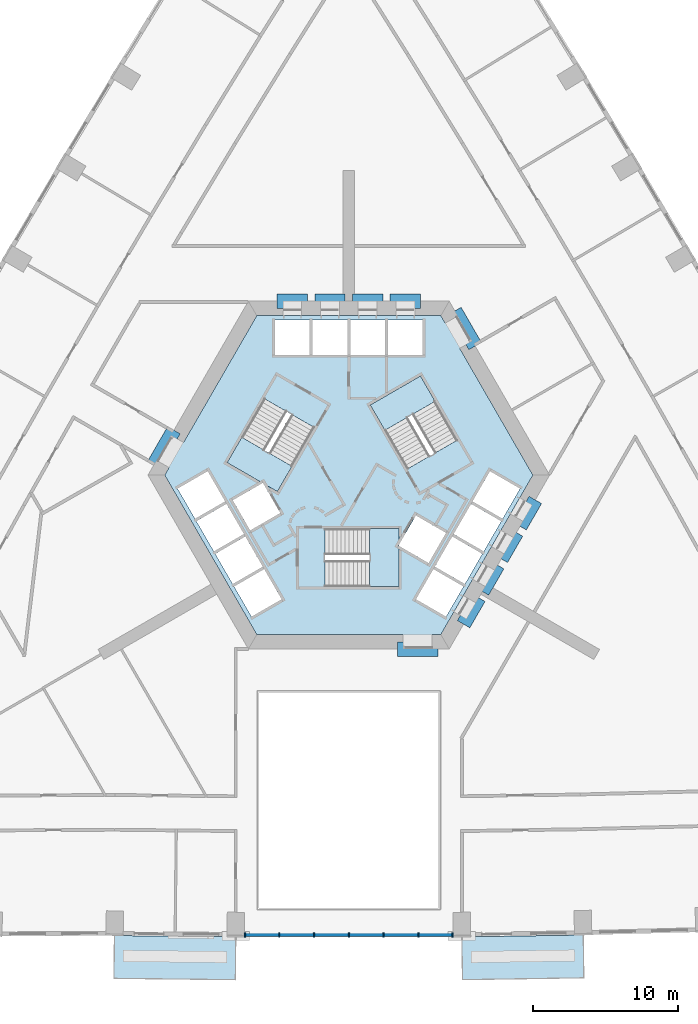
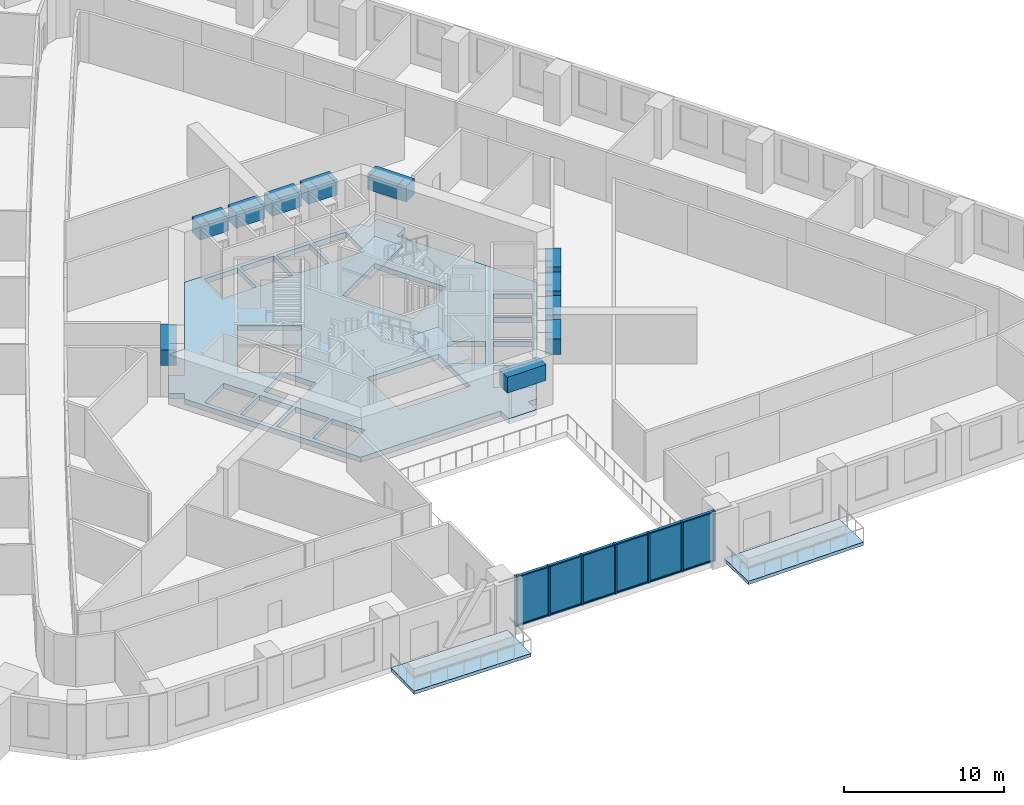
# One storey, part 2 of 14: 19 members, 11 beams, 6 plates, 6 slabs, 4 elements without a shape of their own.
"""IFC4 building model written with IfcOpenShell, lengths in metres."""

from ifc_helpers import new_model, si_unit, direction, frame, origin, origin_2d, place, context, subcontext, project, spatial, polyline, rectangle, outline, extrude, material, layer, layer_set, material_profile, profile_set, type_object, element, aggregate, save


model = new_model("IFC4")

# Units and contexts
model_context = context("Model", 3, precision=1e-05, world=origin(), true_north=direction((0.0, 1.0)))
body_context = subcontext(model_context, "Body", "Model", "MODEL_VIEW")
ifc_project = project(units=[si_unit("LENGTHUNIT", "METRE"), si_unit("AREAUNIT", "SQUARE_METRE"), si_unit("VOLUMEUNIT", "CUBIC_METRE"), si_unit("PLANEANGLEUNIT", "RADIAN"), si_unit("MASSUNIT", "GRAM", prefix="KILO")], contexts=[model_context])

# Site, building, storey
site_placement = place(None, origin())
site = spatial("IfcSite", under=ifc_project, at=site_placement, CompositionType="ELEMENT")
building_placement = place(site_placement, origin())
building = spatial("IfcBuilding", under=site, at=building_placement, Name="Entoto Arch Interchange Tower", CompositionType="ELEMENT")
storey_placement = place(building_placement, frame((0.0, 0.0, 64.39990234375)))
storey = spatial("IfcBuildingStorey", under=building, at=storey_placement, Name="L13", CompositionType="ELEMENT", Elevation=64.39990234375)

# Beams
ifc_material_1 = material(Name="Concrete C60/75", Category="concrete")
ifc_material_profile_1 = material_profile(ifc_material_1, rectangle(XDim=1.0, YDim=1.199951171875, at=origin_2d()))
ifc_profile_set_1 = profile_set([ifc_material_profile_1], Name="Concrete C60/75")
beam_type = type_object("IfcBeamType", Name="Coupling beam RC 1000x1200 C60/75", PredefinedType="BEAM", material=ifc_profile_set_1)
beam_1_placement = place(storey_placement, frame((8.717041015625, 11.402099609375, 3.0), z_axis=(-0.500200581029, 0.865909567298, 0.0), x_axis=(-0.865909567298, -0.500200581029, 0.0)))
element("IfcBeam", 1, at=beam_1_placement, inside=storey, type_object=beam_type, Name="Coupling beam NE L13", PredefinedType="BEAM", context=body_context, shape_type="SweptSolid", body=[
    extrude(rectangle(XDim=1.0, YDim=1.199951171875, at=origin_2d()), origin(), (0.0, 0.0, 1.0), 2.799072265625),
])
beam_2_placement = place(storey_placement, frame((4.949951171875, 14.5, 3.0), z_axis=(-1.0, 0.0, 0.0), x_axis=(0.0, -1.0, 0.0)))
element("IfcBeam", 2, at=beam_2_placement, inside=storey, type_object=beam_type, Name="Coupling beam N L13", PredefinedType="BEAM", context=body_context, shape_type="SweptSolid", body=[
    extrude(rectangle(XDim=1.0, YDim=1.199951171875, at=origin_2d()), origin(), (0.0, 0.0, 1.0), 2.099853515625),
])
for number, where, z_axis, x_axis, name in (
    (3, (2.35009765625, 14.5, 3.0), (-1.0, 0.0, 0.0), (0.0, -1.0, 0.0), "Coupling beam N L13"),
    (4, (-0.25, 14.5, 3.0), (-1.0, 0.0, 0.0), (0.0, -1.0, 0.0), "Coupling beam N L13"),
):
    element("IfcBeam", number, at=place(storey_placement, frame(where, z_axis=z_axis, x_axis=x_axis)), inside=storey, type_object=beam_type, Name=name, PredefinedType="BEAM", context=body_context, shape_type="SweptSolid", body=[
        extrude(rectangle(XDim=1.0, YDim=1.199951171875, at=origin_2d()), origin(), (0.0, 0.0, 1.0), 2.10009765625),
    ])
beam_3_placement = place(storey_placement, frame((-2.85009765625, 14.5, 3.0), z_axis=(-1.0, 0.0, 0.0), x_axis=(0.0, -1.0, 0.0)))
element("IfcBeam", 5, at=beam_3_placement, inside=storey, type_object=beam_type, Name="Coupling beam N L13", PredefinedType="BEAM", context=body_context, shape_type="SweptSolid", body=[
    extrude(rectangle(XDim=1.0, YDim=1.199951171875, at=origin_2d()), origin(), (0.0, 0.0, 1.0), 2.099853515625),
])
beam_4_placement = place(storey_placement, frame((-12.06689453125, 5.597900390625, 3.0), z_axis=(-0.500200581029, -0.865909567298, 0.0), x_axis=(0.865909567298, -0.500200581029, 0.0)))
element("IfcBeam", 6, at=beam_4_placement, inside=storey, type_object=beam_type, Name="Coupling beam NW L13", PredefinedType="BEAM", context=body_context, shape_type="SweptSolid", body=[
    extrude(rectangle(XDim=1.0, YDim=1.199951171875, at=origin_2d()), origin(), (0.0, 0.0, 1.0), 2.799072265625),
])
beam_5_placement = place(storey_placement, frame((3.35009765625, -9.5, 3.0), z_axis=(1.0, 0.0, 0.0), x_axis=(0.0, 1.0, 0.0)))
element("IfcBeam", 7, at=beam_5_placement, inside=storey, type_object=beam_type, Name="Coupling beam S L13", PredefinedType="BEAM", context=body_context, shape_type="SweptSolid", body=[
    extrude(rectangle(XDim=1.0, YDim=1.199951171875, at=origin_2d()), origin(), (0.0, 0.0, 1.0), 2.7998046875),
])
for number, where, z_axis, x_axis, name in (
    (8, (7.9169921875, -7.785888671875, 3.0), (0.500178781653, 0.865922159541, 0.0), (-0.865922159541, 0.500178781653, 0.0), "Coupling beam SE L13"),
    (9, (9.217041015625, -5.534912109375, 3.0), (0.500178781653, 0.865922159541, 0.0), (-0.865922159541, 0.500178781653, 0.0), "Coupling beam SE L13"),
):
    element("IfcBeam", number, at=place(storey_placement, frame(where, z_axis=z_axis, x_axis=x_axis)), inside=storey, type_object=beam_type, Name=name, PredefinedType="BEAM", context=body_context, shape_type="SweptSolid", body=[
        extrude(rectangle(XDim=1.0, YDim=1.199951171875, at=origin_2d()), origin(), (0.0, 0.0, 1.0), 2.099365234375),
    ])
beam_6_placement = place(storey_placement, frame((10.51708984375, -3.282958984375, 3.0), z_axis=(0.500091574638, 0.865972526687, 0.0), x_axis=(-0.865972526687, 0.500091574638, 0.0)))
element("IfcBeam", 10, at=beam_6_placement, inside=storey, type_object=beam_type, Name="Coupling beam SE L13", PredefinedType="BEAM", context=body_context, shape_type="SweptSolid", body=[
    extrude(rectangle(XDim=1.0, YDim=1.199951171875, at=origin_2d()), origin(), (0.0, 0.0, 1.0), 2.09912109375),
])
beam_7_placement = place(storey_placement, frame((11.81689453125, -1.031982421875, 3.0), z_axis=(0.500178781653, 0.865922159541, 0.0), x_axis=(-0.865922159541, 0.500178781653, 0.0)))
element("IfcBeam", 11, at=beam_7_placement, inside=storey, type_object=beam_type, Name="Coupling beam SE L13", PredefinedType="BEAM", context=body_context, shape_type="SweptSolid", body=[
    extrude(rectangle(XDim=1.0, YDim=1.199951171875, at=origin_2d()), origin(), (0.0, 0.0, 1.0), 2.099365234375),
])

# Curtain wall, members
ifc_material_2 = material(Name="Aluminium, anodised", Category="aluminium")
curtain_wall_type = type_object("IfcCurtainWallType", Name="CURTAIN WALL ATRIUM", PredefinedType="NOTDEFINED", material=ifc_material_2)
curtain_wall_placement = place(storey_placement, origin())
curtain_wall = element("IfcCurtainWall", 12, at=curtain_wall_placement, inside=storey, type_object=curtain_wall_type, Name="Atrium glazing S-04 L13", PredefinedType="NOTDEFINED")
ifc_material_profile_2 = material_profile(ifc_material_2, rectangle(XDim=0.300048828125, YDim=0.10009765625, at=origin_2d()))
ifc_profile_set_2 = profile_set([ifc_material_profile_2], Name="Aluminium, anodised")
member_type_1 = type_object("IfcMemberType", Name="MULLION ATRIUM 100x300", PredefinedType="MULLION", material=ifc_profile_set_2)
member_1_placement = place(storey_placement, frame((-7.14794921875, -29.236083984375, 0.0), z_axis=(0.0, 0.0, 1.0), x_axis=(0.0, 1.0, 0.0)))
member_1 = element("IfcMember", 13, at=member_1_placement, type_object=member_type_1, Name="CWA mullion 1", PredefinedType="MULLION", context=body_context, shape_type="SweptSolid", body=[
    extrude(rectangle(XDim=0.300048828125, YDim=0.10009765625, at=origin_2d()), origin(), (0.0, 0.0, 1.0), 3.800048828125),
])
member_2_placement = place(storey_placement, frame((-4.798583984375, -29.236083984375, 0.0), z_axis=(0.0, 0.0, 1.0), x_axis=(0.0, 1.0, 0.0)))
member_2 = element("IfcMember", 14, at=member_2_placement, type_object=member_type_1, Name="CWA mullion 2", PredefinedType="MULLION", context=body_context, shape_type="SweptSolid", body=[
    extrude(rectangle(XDim=0.300048828125, YDim=0.10009765625, at=origin_2d()), origin(), (0.0, 0.0, 1.0), 3.800048828125),
])
member_3_placement = place(storey_placement, frame((-2.3994140625, -29.236083984375, 0.0), z_axis=(0.0, 0.0, 1.0), x_axis=(0.0, 1.0, 0.0)))
member_3 = element("IfcMember", 15, at=member_3_placement, type_object=member_type_1, Name="CWA mullion 3", PredefinedType="MULLION", context=body_context, shape_type="SweptSolid", body=[
    extrude(rectangle(XDim=0.300048828125, YDim=0.10009765625, at=origin_2d()), origin(), (0.0, 0.0, 1.0), 3.800048828125),
])
member_4_placement = place(storey_placement, frame((0.0, -29.236083984375, 0.0), z_axis=(0.0, 0.0, 1.0), x_axis=(0.0, 1.0, 0.0)))
member_4 = element("IfcMember", 16, at=member_4_placement, type_object=member_type_1, Name="CWA mullion 4", PredefinedType="MULLION", context=body_context, shape_type="SweptSolid", body=[
    extrude(rectangle(XDim=0.300048828125, YDim=0.10009765625, at=origin_2d()), origin(), (0.0, 0.0, 1.0), 3.800048828125),
])
member_5_placement = place(storey_placement, frame((2.3994140625, -29.236083984375, 0.0), z_axis=(0.0, 0.0, 1.0), x_axis=(0.0, 1.0, 0.0)))
member_5 = element("IfcMember", 17, at=member_5_placement, type_object=member_type_1, Name="CWA mullion 5", PredefinedType="MULLION", context=body_context, shape_type="SweptSolid", body=[
    extrude(rectangle(XDim=0.300048828125, YDim=0.10009765625, at=origin_2d()), origin(), (0.0, 0.0, 1.0), 3.800048828125),
])
member_6_placement = place(storey_placement, frame((4.798583984375, -29.236083984375, 0.0), z_axis=(0.0, 0.0, 1.0), x_axis=(0.0, 1.0, 0.0)))
member_6 = element("IfcMember", 18, at=member_6_placement, type_object=member_type_1, Name="CWA mullion 6", PredefinedType="MULLION", context=body_context, shape_type="SweptSolid", body=[
    extrude(rectangle(XDim=0.300048828125, YDim=0.10009765625, at=origin_2d()), origin(), (0.0, 0.0, 1.0), 3.800048828125),
])
member_7_placement = place(storey_placement, frame((7.14794921875, -29.236083984375, 0.0), z_axis=(0.0, 0.0, 1.0), x_axis=(0.0, 1.0, 0.0)))
member_7 = element("IfcMember", 19, at=member_7_placement, type_object=member_type_1, Name="CWA mullion 7", PredefinedType="MULLION", context=body_context, shape_type="SweptSolid", body=[
    extrude(rectangle(XDim=0.300048828125, YDim=0.10009765625, at=origin_2d()), origin(), (0.0, 0.0, 1.0), 3.800048828125),
])
ifc_material_profile_3 = material_profile(ifc_material_2, rectangle(XDim=0.199951171875, YDim=0.080078125, at=origin_2d()))
ifc_profile_set_3 = profile_set([ifc_material_profile_3], Name="Aluminium, anodised")
member_type_2 = type_object("IfcMemberType", Name="TRANSOM ATRIUM 80x200", PredefinedType="USERDEFINED", material=ifc_profile_set_3)
member_8_placement = place(storey_placement, frame((-7.097900390625, -29.236083984375, 0.0400390625), z_axis=(1.0, 0.0, 0.0), x_axis=(0.0, 1.0, 0.0)))
member_8 = element("IfcMember", 20, at=member_8_placement, type_object=member_type_2, Name="CWA transom 1.1", ObjectType="TRANSOM", PredefinedType="USERDEFINED", context=body_context, shape_type="SweptSolid", body=[
    extrude(rectangle(XDim=0.199951171875, YDim=0.080078125, at=origin_2d()), origin(), (0.0, 0.0, 1.0), 2.249267578125),
])
member_9_placement = place(storey_placement, frame((-7.097900390625, -29.236083984375, 3.760009765625), z_axis=(1.0, 0.0, 0.0), x_axis=(0.0, 1.0, 0.0)))
member_9 = element("IfcMember", 21, at=member_9_placement, type_object=member_type_2, Name="CWA transom 1.2", ObjectType="TRANSOM", PredefinedType="USERDEFINED", context=body_context, shape_type="SweptSolid", body=[
    extrude(rectangle(XDim=0.199951171875, YDim=0.080078125, at=origin_2d()), origin(), (0.0, 0.0, 1.0), 2.249267578125),
])
member_10_placement = place(storey_placement, frame((-4.748779296875, -29.236083984375, 0.0400390625), z_axis=(1.0, 0.0, 0.0), x_axis=(0.0, 1.0, 0.0)))
member_10 = element("IfcMember", 22, at=member_10_placement, type_object=member_type_2, Name="CWA transom 2.1", ObjectType="TRANSOM", PredefinedType="USERDEFINED", context=body_context, shape_type="SweptSolid", body=[
    extrude(rectangle(XDim=0.199951171875, YDim=0.080078125, at=origin_2d()), origin(), (0.0, 0.0, 1.0), 2.299560546875),
])
member_11_placement = place(storey_placement, frame((-4.748779296875, -29.236083984375, 3.760009765625), z_axis=(1.0, 0.0, 0.0), x_axis=(0.0, 1.0, 0.0)))
member_11 = element("IfcMember", 23, at=member_11_placement, type_object=member_type_2, Name="CWA transom 2.2", ObjectType="TRANSOM", PredefinedType="USERDEFINED", context=body_context, shape_type="SweptSolid", body=[
    extrude(rectangle(XDim=0.199951171875, YDim=0.080078125, at=origin_2d()), origin(), (0.0, 0.0, 1.0), 2.299560546875),
])
member_12_placement = place(storey_placement, frame((-2.349365234375, -29.236083984375, 0.0400390625), z_axis=(1.0, 0.0, 0.0), x_axis=(0.0, 1.0, 0.0)))
member_12 = element("IfcMember", 24, at=member_12_placement, type_object=member_type_2, Name="CWA transom 3.1", ObjectType="TRANSOM", PredefinedType="USERDEFINED", context=body_context, shape_type="SweptSolid", body=[
    extrude(rectangle(XDim=0.199951171875, YDim=0.080078125, at=origin_2d()), origin(), (0.0, 0.0, 1.0), 2.29931640625),
])
member_13_placement = place(storey_placement, frame((-2.349365234375, -29.236083984375, 3.760009765625), z_axis=(1.0, 0.0, 0.0), x_axis=(0.0, 1.0, 0.0)))
member_13 = element("IfcMember", 25, at=member_13_placement, type_object=member_type_2, Name="CWA transom 3.2", ObjectType="TRANSOM", PredefinedType="USERDEFINED", context=body_context, shape_type="SweptSolid", body=[
    extrude(rectangle(XDim=0.199951171875, YDim=0.080078125, at=origin_2d()), origin(), (0.0, 0.0, 1.0), 2.29931640625),
])
member_14_placement = place(storey_placement, frame((0.050048828125, -29.236083984375, 0.0400390625), z_axis=(1.0, 0.0, 0.0), x_axis=(0.0, 1.0, 0.0)))
member_14 = element("IfcMember", 26, at=member_14_placement, type_object=member_type_2, Name="CWA transom 4.1", ObjectType="TRANSOM", PredefinedType="USERDEFINED", context=body_context, shape_type="SweptSolid", body=[
    extrude(rectangle(XDim=0.199951171875, YDim=0.080078125, at=origin_2d()), origin(), (0.0, 0.0, 1.0), 2.29931640625),
])
member_15_placement = place(storey_placement, frame((0.050048828125, -29.236083984375, 3.760009765625), z_axis=(1.0, 0.0, 0.0), x_axis=(0.0, 1.0, 0.0)))
member_15 = element("IfcMember", 27, at=member_15_placement, type_object=member_type_2, Name="CWA transom 4.2", ObjectType="TRANSOM", PredefinedType="USERDEFINED", context=body_context, shape_type="SweptSolid", body=[
    extrude(rectangle(XDim=0.199951171875, YDim=0.080078125, at=origin_2d()), origin(), (0.0, 0.0, 1.0), 2.29931640625),
])
member_16_placement = place(storey_placement, frame((2.44921875, -29.236083984375, 0.0400390625), z_axis=(1.0, 0.0, 0.0), x_axis=(0.0, 1.0, 0.0)))
member_16 = element("IfcMember", 28, at=member_16_placement, type_object=member_type_2, Name="CWA transom 5.1", ObjectType="TRANSOM", PredefinedType="USERDEFINED", context=body_context, shape_type="SweptSolid", body=[
    extrude(rectangle(XDim=0.199951171875, YDim=0.080078125, at=origin_2d()), origin(), (0.0, 0.0, 1.0), 2.299560546875),
])
member_17_placement = place(storey_placement, frame((2.44921875, -29.236083984375, 3.760009765625), z_axis=(1.0, 0.0, 0.0), x_axis=(0.0, 1.0, 0.0)))
member_17 = element("IfcMember", 29, at=member_17_placement, type_object=member_type_2, Name="CWA transom 5.2", ObjectType="TRANSOM", PredefinedType="USERDEFINED", context=body_context, shape_type="SweptSolid", body=[
    extrude(rectangle(XDim=0.199951171875, YDim=0.080078125, at=origin_2d()), origin(), (0.0, 0.0, 1.0), 2.299560546875),
])
member_18_placement = place(storey_placement, frame((4.8486328125, -29.236083984375, 0.0400390625), z_axis=(1.0, 0.0, 0.0), x_axis=(0.0, 1.0, 0.0)))
member_18 = element("IfcMember", 30, at=member_18_placement, type_object=member_type_2, Name="CWA transom 6.1", ObjectType="TRANSOM", PredefinedType="USERDEFINED", context=body_context, shape_type="SweptSolid", body=[
    extrude(rectangle(XDim=0.199951171875, YDim=0.080078125, at=origin_2d()), origin(), (0.0, 0.0, 1.0), 2.249267578125),
])
member_19_placement = place(storey_placement, frame((4.8486328125, -29.236083984375, 3.760009765625), z_axis=(1.0, 0.0, 0.0), x_axis=(0.0, 1.0, 0.0)))
member_19 = element("IfcMember", 31, at=member_19_placement, type_object=member_type_2, Name="CWA transom 6.2", ObjectType="TRANSOM", PredefinedType="USERDEFINED", context=body_context, shape_type="SweptSolid", body=[
    extrude(rectangle(XDim=0.199951171875, YDim=0.080078125, at=origin_2d()), origin(), (0.0, 0.0, 1.0), 2.249267578125),
])

# Slabs
ifc_material_3 = material(Name="Board-marked precast concrete C50/60", Category="concrete")
ifc_layer_1 = layer(ifc_material_3, 0.25)
ifc_layer_set_1 = layer_set([ifc_layer_1], Name="Board-marked precast concrete C50/60")
slab_type_1 = type_object("IfcSlabType", Name="BALCONY DECK PRECAST 250", PredefinedType="FLOOR", material=ifc_layer_set_1)
slab_1_placement = place(storey_placement, frame((0.0, 0.0, -0.25)))
element("IfcSlab", 32, at=slab_1_placement, inside=storey, type_object=slab_type_1, Name="Planted balcony S-03 L13", PredefinedType="FLOOR", context=body_context, shape_type="SweptSolid", body=[
    extrude(outline(polyline([(-16.169921875, -29.26806640625), (-7.800048828125, -29.361083984375), (-7.8330078125, -32.31103515625), (-16.202880859375, -32.218017578125), (-16.169921875, -29.26806640625)])), origin(), (0.0, 0.0, 1.0), 0.25),
])
slab_2_placement = place(storey_placement, frame((0.0, 0.0, -0.25)))
element("IfcSlab", 33, at=slab_2_placement, inside=storey, type_object=slab_type_1, Name="Planted balcony S-05 L13", PredefinedType="FLOOR", context=body_context, shape_type="SweptSolid", body=[
    extrude(outline(polyline([(7.800048828125, -29.361083984375), (16.169921875, -29.23193359375), (16.215087890625, -32.181884765625), (7.844970703125, -32.31103515625), (7.800048828125, -29.361083984375)])), origin(), (0.0, 0.0, 1.0), 0.25),
])
ifc_material_4 = material(Name="Concrete C40/50", Category="concrete")
ifc_layer_2 = layer(ifc_material_4, 0.39990234375)
ifc_layer_set_2 = layer_set([ifc_layer_2], Name="Concrete C40/50")
slab_type_2 = type_object("IfcSlabType", Name="Core floor slab 400 C40/50", PredefinedType="FLOOR", material=ifc_layer_set_2)
slab_3_placement = place(storey_placement, frame((0.0, 0.0, -0.39990234375)))
element("IfcSlab", 34, at=slab_3_placement, inside=storey, type_object=slab_type_2, Name="Core floor slab L13", PredefinedType="FLOOR", context=body_context, shape_type="SweptSolid", body=[
    extrude(outline(polyline([(5.75, -9.5), (3.75, -9.5), (3.75, -8.5), (-6.35107421875, -8.5), (-12.701904296875, 2.5), (-12.402099609375, 3.02001953125), (-13.26708984375, 3.52001953125), (-12.26708984375, 5.251953125), (-11.402099609375, 4.751953125), (-6.35107421875, 13.5), (6.35107421875, 13.5), (6.65087890625, 12.97998046875), (7.51708984375, 13.47998046875), (8.51708984375, 11.748046875), (7.65087890625, 11.248046875), (12.701904296875, 2.5), (6.35107421875, -8.5), (5.75, -8.5), (5.75, -9.5)]), holes=[polyline([(-4.637939453125, -6.06689453125), (-5.837890625, -3.988037109375), (-7.916015625, -5.18798828125), (-6.716064453125, -7.26708984375), (-4.637939453125, -6.06689453125)]), polyline([(-5.93798828125, -3.81494140625), (-7.137939453125, -1.737060546875), (-9.216064453125, -2.93701171875), (-8.01611328125, -5.014892578125), (-5.93798828125, -3.81494140625)]), polyline([(5.5048828125, -3.56494140625), (6.705078125, -1.487060546875), (4.626953125, -0.287109375), (3.449951171875, -2.324951171875), (3.449951171875, -1.199951171875), (-1.64990234375, -1.199951171875), (-1.64990234375, -5.199951171875), (3.449951171875, -5.199951171875), (3.449951171875, -2.3779296875), (5.5048828125, -3.56494140625)]), polyline([(-7.238037109375, -1.56298828125), (-8.43798828125, 0.514892578125), (-10.51611328125, -0.68505859375), (-9.31591796875, -2.762939453125), (-7.238037109375, -1.56298828125)]), polyline([(-4.72705078125, -0.113037109375), (-5.904052734375, 1.925048828125), (-4.928955078125, 1.362060546875), (-2.37890625, 5.779052734375), (-5.843017578125, 7.779052734375), (-8.39306640625, 3.362060546875), (-5.949951171875, 1.951904296875), (-8.0048828125, 0.764892578125), (-6.804931640625, -1.31298828125), (-4.72705078125, -0.113037109375)]), polyline([(-8.5380859375, 0.68798828125), (-9.738037109375, 2.76708984375), (-11.81591796875, 1.56689453125), (-10.615966796875, -0.511962890625), (-8.5380859375, 0.68798828125)]), polyline([(-5.10009765625, 10.800048828125), (-2.699951171875, 10.800048828125), (-2.699951171875, 13.199951171875), (-5.10009765625, 13.199951171875), (-5.10009765625, 10.800048828125)]), polyline([(-2.5, 10.800048828125), (-0.10009765625, 10.800048828125), (-0.10009765625, 13.199951171875), (-2.5, 13.199951171875), (-2.5, 10.800048828125)]), polyline([(5.837890625, -3.988037109375), (4.637939453125, -6.06689453125), (6.716064453125, -7.26708984375), (7.916015625, -5.18798828125), (5.837890625, -3.988037109375)]), polyline([(7.137939453125, -1.737060546875), (5.93798828125, -3.81494140625), (8.01611328125, -5.014892578125), (9.216064453125, -2.93701171875), (7.137939453125, -1.737060546875)]), polyline([(8.43798828125, 0.514892578125), (7.238037109375, -1.56298828125), (9.31591796875, -2.762939453125), (10.51611328125, -0.68505859375), (8.43798828125, 0.514892578125)]), polyline([(9.738037109375, 2.76708984375), (8.5380859375, 0.68798828125), (10.615966796875, -0.511962890625), (11.81591796875, 1.56689453125), (9.738037109375, 2.76708984375)]), polyline([(4.029052734375, 2.9208984375), (7.492919921875, 4.9208984375), (4.943115234375, 9.337890625), (1.47900390625, 7.337890625), (4.029052734375, 2.9208984375)]), polyline([(0.10009765625, 13.199951171875), (0.10009765625, 10.800048828125), (2.5, 10.800048828125), (2.5, 13.199951171875), (0.10009765625, 13.199951171875)]), polyline([(2.699951171875, 13.199951171875), (2.699951171875, 10.800048828125), (5.10009765625, 10.800048828125), (5.10009765625, 13.199951171875), (2.699951171875, 13.199951171875)])]), origin(), (0.0, 0.0, 1.0), 0.39990234375),
])

# Stair, slab
stair_type = type_object("IfcStairType", Name="EXIT STAIR RC 1800", PredefinedType="HALF_TURN_STAIR", material=ifc_material_4)
stair_1_placement = place(storey_placement, origin())
stair_1 = element("IfcStair", 35, at=stair_1_placement, inside=storey, type_object=stair_type, Name="L13 Exit stair S", PredefinedType="HALF_TURN_STAIR")
ifc_layer_3 = layer(ifc_material_4, 0.199951171875)
ifc_layer_set_3 = layer_set([ifc_layer_3], Name="Concrete C40/50")
slab_type_3 = type_object("IfcSlabType", Name="EXIT STAIR LANDING RC 200", PredefinedType="LANDING", material=ifc_layer_set_3)
slab_4_placement = place(storey_placement, frame((0.0, 0.0, 1.900146484375)))
slab_4 = element("IfcSlab", 36, at=slab_4_placement, type_object=slab_type_3, Name="ST-S landing 1", PredefinedType="LANDING", context=body_context, shape_type="SweptSolid", body=[
    extrude(outline(polyline([(1.429931640625, -5.199951171875), (3.449951171875, -5.199951171875), (3.449951171875, -1.199951171875), (1.429931640625, -1.199951171875), (1.429931640625, -5.199951171875)])), origin(), (0.0, 0.0, 1.0), 0.199951171875),
])
aggregate(stair_1, [slab_4])

stair_2_placement = place(storey_placement, origin())
stair_2 = element("IfcStair", 37, at=stair_2_placement, inside=storey, type_object=stair_type, Name="L13 Exit stair NE", PredefinedType="HALF_TURN_STAIR")
slab_5_placement = place(storey_placement, frame((0.0, 0.0, 1.900146484375)))
slab_5 = element("IfcSlab", 38, at=slab_5_placement, type_object=slab_type_3, Name="ST-NE landing 1", PredefinedType="LANDING", context=body_context, shape_type="SweptSolid", body=[
    extrude(outline(polyline([(5.953369140625, 7.58837890625), (4.943359375, 9.337890625), (1.479248046875, 7.337890625), (2.4892578125, 5.58837890625), (5.953369140625, 7.58837890625)])), origin(), (0.0, 0.0, 1.0), 0.199951171875),
])
aggregate(stair_2, [slab_5])

stair_3_placement = place(storey_placement, origin())
stair_3 = element("IfcStair", 39, at=stair_3_placement, inside=storey, type_object=stair_type, Name="L13 Exit stair NW", PredefinedType="HALF_TURN_STAIR")
slab_6_placement = place(storey_placement, frame((0.0, 0.0, 1.900146484375)))
slab_6 = element("IfcSlab", 40, at=slab_6_placement, type_object=slab_type_3, Name="ST-NW landing 1", PredefinedType="LANDING", context=body_context, shape_type="SweptSolid", body=[
    extrude(outline(polyline([(-7.38330078125, 5.111572265625), (-8.393310546875, 3.3623046875), (-4.92919921875, 1.3623046875), (-3.919189453125, 3.111572265625), (-7.38330078125, 5.111572265625)])), origin(), (0.0, 0.0, 1.0), 0.199951171875),
])
aggregate(stair_3, [slab_6])

# Plate
ifc_material_5 = material(Name="Clear glass, low-e double glazed", Category="glass")
ifc_layer_4 = layer(ifc_material_5, 0.031982421875)
ifc_layer_set_4 = layer_set([ifc_layer_4], Name="Clear glass, low-e double glazed")
plate_type = type_object("IfcPlateType", Name="GLAZING PANEL ATRIUM 32", PredefinedType="CURTAIN_PANEL", material=ifc_layer_set_4)
plate_1_placement = place(storey_placement, frame((-5.973388671875, -29.236083984375, 0.080078125), z_axis=(0.0, 0.0, 1.0), x_axis=(1.0, 0.0, 0.0)))
plate_1 = element("IfcPlate", 41, at=plate_1_placement, type_object=plate_type, Name="CWA panel 1.1", PredefinedType="CURTAIN_PANEL", context=body_context, shape_type="SweptSolid", body=[
    extrude(rectangle(XDim=2.249267578125, YDim=0.031982421875, at=origin_2d()), origin(), (0.0, 0.0, 1.0), 3.639892578125),
])

plate_2_placement = place(storey_placement, frame((-3.59912109375, -29.236083984375, 0.080078125), z_axis=(0.0, 0.0, 1.0), x_axis=(1.0, 0.0, 0.0)))
plate_2 = element("IfcPlate", 42, at=plate_2_placement, type_object=plate_type, Name="CWA panel 2.1", PredefinedType="CURTAIN_PANEL", context=body_context, shape_type="SweptSolid", body=[
    extrude(rectangle(XDim=2.29931640625, YDim=0.031982421875, at=origin_2d()), origin(), (0.0, 0.0, 1.0), 3.639892578125),
])

plate_3_placement = place(storey_placement, frame((-1.19970703125, -29.236083984375, 0.080078125), z_axis=(0.0, 0.0, 1.0), x_axis=(1.0, 0.0, 0.0)))
plate_3 = element("IfcPlate", 43, at=plate_3_placement, type_object=plate_type, Name="CWA panel 3.1", PredefinedType="CURTAIN_PANEL", context=body_context, shape_type="SweptSolid", body=[
    extrude(rectangle(XDim=2.29931640625, YDim=0.031982421875, at=origin_2d()), origin(), (0.0, 0.0, 1.0), 3.639892578125),
])

plate_4_placement = place(storey_placement, frame((1.19970703125, -29.236083984375, 0.080078125), z_axis=(0.0, 0.0, 1.0), x_axis=(1.0, 0.0, 0.0)))
plate_4 = element("IfcPlate", 44, at=plate_4_placement, type_object=plate_type, Name="CWA panel 4.1", PredefinedType="CURTAIN_PANEL", context=body_context, shape_type="SweptSolid", body=[
    extrude(rectangle(XDim=2.29931640625, YDim=0.031982421875, at=origin_2d()), origin(), (0.0, 0.0, 1.0), 3.639892578125),
])

plate_5_placement = place(storey_placement, frame((3.59912109375, -29.236083984375, 0.080078125), z_axis=(0.0, 0.0, 1.0), x_axis=(1.0, 0.0, 0.0)))
plate_5 = element("IfcPlate", 45, at=plate_5_placement, type_object=plate_type, Name="CWA panel 5.1", PredefinedType="CURTAIN_PANEL", context=body_context, shape_type="SweptSolid", body=[
    extrude(rectangle(XDim=2.29931640625, YDim=0.031982421875, at=origin_2d()), origin(), (0.0, 0.0, 1.0), 3.639892578125),
])

plate_6_placement = place(storey_placement, frame((5.973388671875, -29.236083984375, 0.080078125), z_axis=(0.0, 0.0, 1.0), x_axis=(1.0, 0.0, 0.0)))
plate_6 = element("IfcPlate", 46, at=plate_6_placement, type_object=plate_type, Name="CWA panel 6.1", PredefinedType="CURTAIN_PANEL", context=body_context, shape_type="SweptSolid", body=[
    extrude(rectangle(XDim=2.249267578125, YDim=0.031982421875, at=origin_2d()), origin(), (0.0, 0.0, 1.0), 3.639892578125),
])

aggregate(curtain_wall, [member_1, member_2, member_3, member_4, member_5, member_6, member_7, member_8, member_9, plate_1, member_10, member_11, plate_2, member_12, member_13, plate_3, member_14, member_15, plate_4, member_16, member_17, plate_5, member_18, member_19, plate_6])

save(model, "model.ifc")
